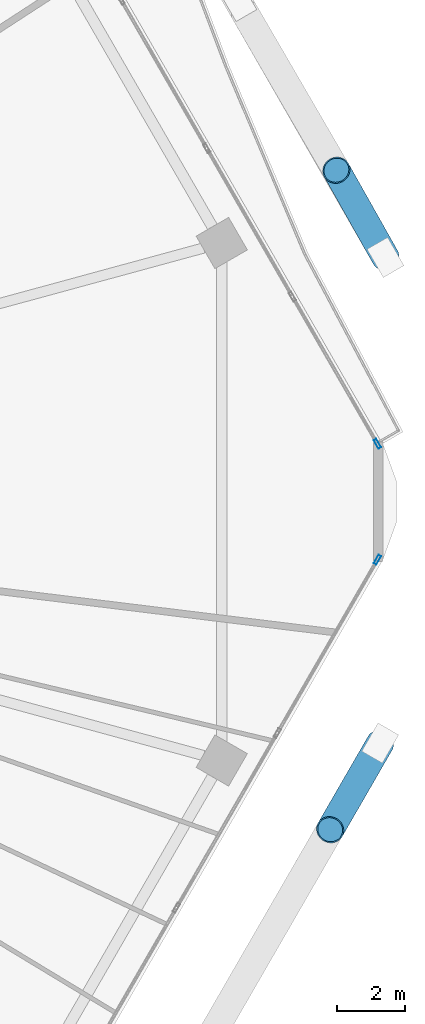
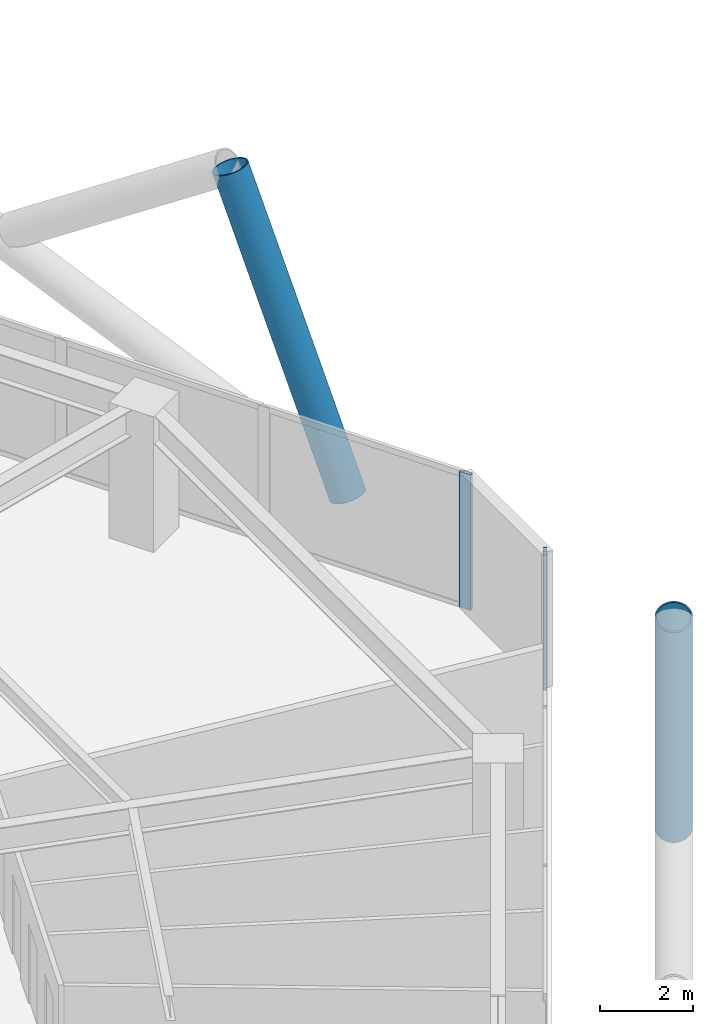
# One storey, part 25 of 35: 4 members, 2 elements without a shape of their own.
"""IFC4 building model written with IfcOpenShell, lengths in metres."""

from ifc_helpers import new_model, si_unit, direction, frame, origin, origin_2d, place, context, subcontext, project, spatial, hollow_rectangle, hollow_circle, extrude, material, material_profile, profile_set, type_object, element, aggregate, save


model = new_model("IFC4")

# Units and contexts
model_context = context("Model", 3, precision=1e-05, world=origin(), true_north=direction((0.0, 1.0)))
body_context = subcontext(model_context, "Body", "Model", "MODEL_VIEW")
ifc_project = project(units=[si_unit("LENGTHUNIT", "METRE"), si_unit("AREAUNIT", "SQUARE_METRE"), si_unit("VOLUMEUNIT", "CUBIC_METRE"), si_unit("PLANEANGLEUNIT", "RADIAN"), si_unit("MASSUNIT", "GRAM", prefix="KILO")], contexts=[model_context])

# Site, building, storey
site_placement = place(None, origin())
site = spatial("IfcSite", under=ifc_project, at=site_placement, CompositionType="ELEMENT")
building_placement = place(site_placement, origin())
building = spatial("IfcBuilding", under=site, at=building_placement, Name="Zuhravey Tower", CompositionType="ELEMENT")
storey_placement = place(building_placement, frame((0.0, 0.0, 122.800048828125)))
storey = spatial("IfcBuildingStorey", under=building, at=storey_placement, Name="L30", CompositionType="ELEMENT", Elevation=122.800048828125)

# Curtain wall, member
ifc_material_1 = material(Name="Thermally broken anodised aluminium", Category="aluminium")
curtain_wall_type = type_object("IfcCurtainWallType", Name="Zone 1-2 Residential Curtain Wall CW3", PredefinedType="NOTDEFINED", material=ifc_material_1)
curtain_wall_1_placement = place(storey_placement, origin())
curtain_wall_1 = element("IfcCurtainWall", 1, at=curtain_wall_1_placement, inside=storey, type_object=curtain_wall_type, Name="L30 CW3 CW-L30-F6-1", PredefinedType="NOTDEFINED")
ifc_material_2 = material(Name="Anodised aluminium", Category="aluminium")
ifc_material_profile_1 = material_profile(ifc_material_2, hollow_rectangle(XDim=0.090087890625, YDim=0.284912109375, WallThickness=0.0048828125, at=origin_2d()), Name="ALU-RHS-90x285x5")
ifc_profile_set_1 = profile_set([ifc_material_profile_1], Name="Anodised aluminium")
member_type_1 = type_object("IfcMemberType", Name="Curtain-Wall Mullion 90x180", PredefinedType="MULLION", material=ifc_profile_set_1)
member_1_placement = place(storey_placement, frame((68.4560546875, 30.298583984375, 0.0), z_axis=(0.0, 0.0, 1.0), x_axis=(0.86602552265, -0.499999794119, 0.0)))
member_1 = element("IfcMember", 2, at=member_1_placement, type_object=member_type_1, Name="CW3 mullion 1", PredefinedType="MULLION", context=body_context, shape_type="SweptSolid", body=[
    extrude(hollow_rectangle(XDim=0.090087890625, YDim=0.284912109375, WallThickness=0.0048828125, at=origin_2d()), origin(), (0.0, 0.0, 1.0), 3.550048828125),
])
aggregate(curtain_wall_1, [member_1])

curtain_wall_2_placement = place(storey_placement, origin())
curtain_wall_2 = element("IfcCurtainWall", 3, at=curtain_wall_2_placement, inside=storey, type_object=curtain_wall_type, Name="L30 CW3 CW-L30-F1-2", PredefinedType="NOTDEFINED")
member_2_placement = place(storey_placement, frame((68.4560546875, 33.701416015625, 0.0), z_axis=(0.0, 0.0, 1.0), x_axis=(0.866026122816, 0.499998754599, 0.0)))
member_2 = element("IfcMember", 4, at=member_2_placement, type_object=member_type_1, Name="CW3 mullion 5", PredefinedType="MULLION", context=body_context, shape_type="SweptSolid", body=[
    extrude(hollow_rectangle(XDim=0.090087890625, YDim=0.284912109375, WallThickness=0.0048828125, at=origin_2d()), origin(), (0.0, 0.0, 1.0), 3.550048828125),
])
aggregate(curtain_wall_2, [member_2])

# Members
ifc_material_3 = material(Name="Steel SM460", Category="steel")
ifc_material_profile_2 = material_profile(ifc_material_3, hollow_circle(Radius=0.406494140625, WallThickness=0.035888671875, at=origin_2d()), Name="CHS-812.8x36")
ifc_profile_set_2 = profile_set([ifc_material_profile_2], Name="Steel SM460")
member_type_2 = type_object("IfcMemberType", Name="Exoskeleton Zone 1 Diagrid CHS813x36", PredefinedType="BRACE", material=ifc_profile_set_2)
member_3_placement = place(storey_placement, frame((68.689208984375, 39.177978515625, -0.442138671875), z_axis=(-0.177374572946, 0.314555892909, 0.932519625053), x_axis=(-0.871058104172, -0.491179986519, 0.0)))
element("IfcMember", 5, at=member_3_placement, inside=storey, type_object=member_type_2, Name="L30 Face 1 Diagrid Brace 1", PredefinedType="BRACE", context=body_context, shape_type="SweptSolid", body=[
    extrude(hollow_circle(Radius=0.406494140625, WallThickness=0.035888671875, at=origin_2d()), origin(), (0.0, 0.0, 1.0), 8.10302734375),
])
member_4_placement = place(storey_placement, frame((68.533203125, 24.912109375, -0.442138671875), z_axis=(-0.180569214941, -0.312719486379, 0.932524145239), x_axis=(0.866000778371, -0.500042650041, 0.0)))
element("IfcMember", 6, at=member_4_placement, inside=storey, type_object=member_type_2, Name="L30 Face 6 Diagrid Brace 4", PredefinedType="BRACE", context=body_context, shape_type="SweptSolid", body=[
    extrude(hollow_circle(Radius=0.406494140625, WallThickness=0.035888671875, at=origin_2d()), origin(), (0.0, 0.0, 1.0), 8.102783203125),
])

save(model, "model.ifc")
